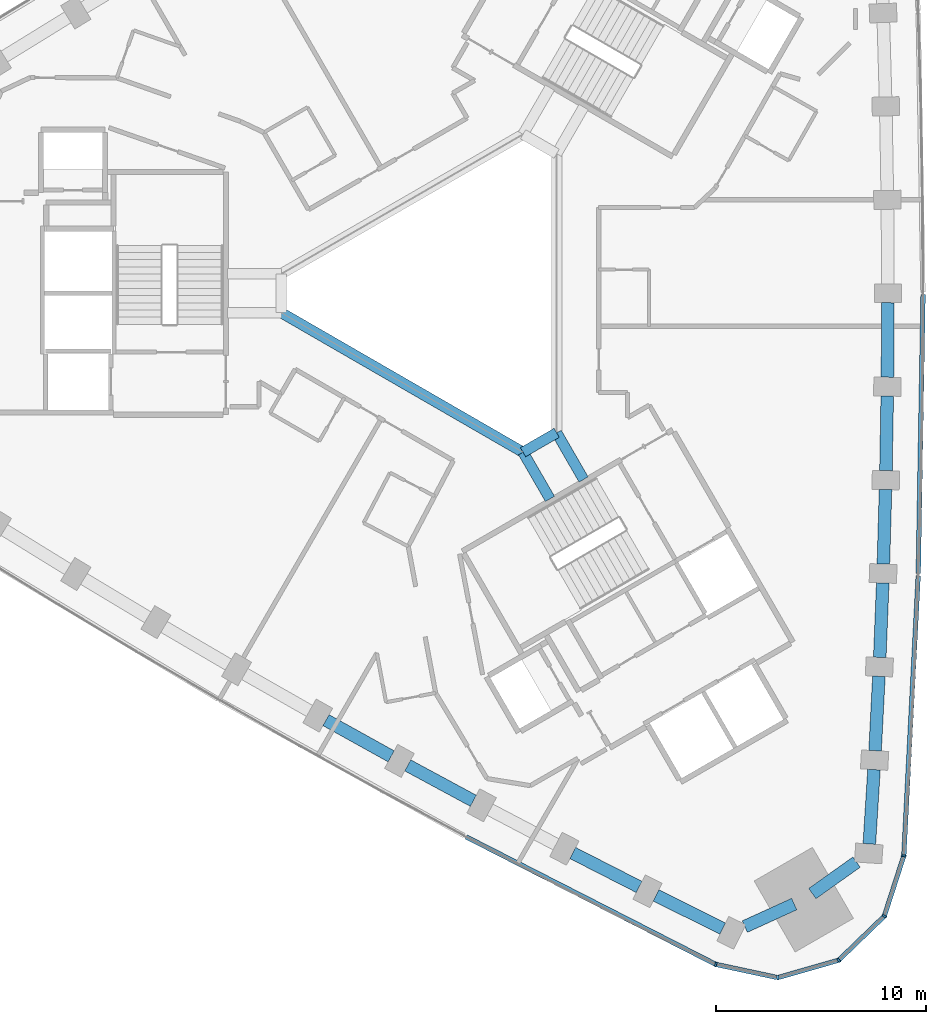
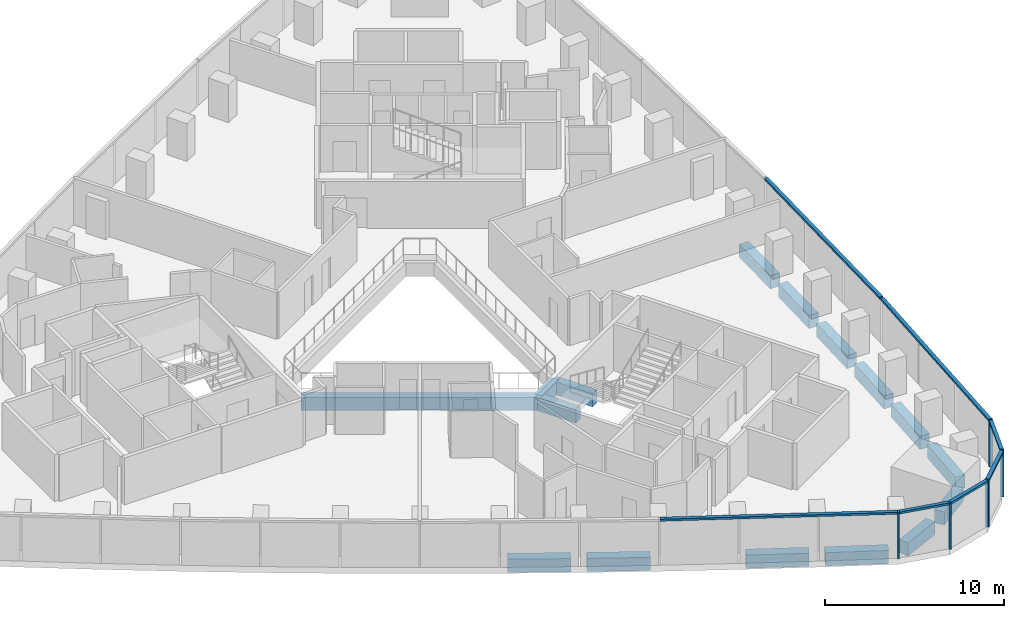
# One storey, part 3 of 12: 16 beams, 12 members, 2 elements without a shape of their own.
"""IFC4 building model written with IfcOpenShell, lengths in metres."""

from ifc_helpers import new_model, si_unit, direction, frame, origin, origin_2d, place, context, subcontext, project, spatial, rectangle, extrude, material, material_profile, profile_set, type_object, element, aggregate, save


model = new_model("IFC4")

# Units and contexts
model_context = context("Model", 3, precision=1e-05, world=origin(), true_north=direction((0.0, 1.0)))
body_context = subcontext(model_context, "Body", "Model", "MODEL_VIEW")
ifc_project = project(units=[si_unit("LENGTHUNIT", "METRE"), si_unit("AREAUNIT", "SQUARE_METRE"), si_unit("VOLUMEUNIT", "CUBIC_METRE"), si_unit("PLANEANGLEUNIT", "RADIAN"), si_unit("MASSUNIT", "GRAM", prefix="KILO")], contexts=[model_context])

# Site, building, storey
site_placement = place(None, origin())
site = spatial("IfcSite", under=ifc_project, at=site_placement, CompositionType="ELEMENT")
building_placement = place(site_placement, origin())
building = spatial("IfcBuilding", under=site, at=building_placement, Name="Tamra Quay Hotel Tower", CompositionType="ELEMENT")
storey_placement = place(building_placement, frame((0.0, 0.0, 115.39990234375)))
storey = spatial("IfcBuildingStorey", under=building, at=storey_placement, Name="L28", CompositionType="ELEMENT", Elevation=115.39990234375)

# Beams
ifc_material_1 = material(Name="Concrete M60", Category="concrete")
ifc_material_profile_1 = material_profile(ifc_material_1, rectangle(XDim=0.5, YDim=0.89990234375, at=origin_2d()), Name="ATRIUM EDGE BEAM RC 500x900")
ifc_profile_set_1 = profile_set([ifc_material_profile_1], Name="Concrete M60")
beam_type_1 = type_object("IfcBeamType", Name="ATRIUM EDGE BEAM RC 500x900", PredefinedType="BEAM", material=ifc_profile_set_1)
beam_1_placement = place(storey_placement, frame((4.89990234375, -6.639404296875, -0.875), z_axis=(-0.865989712182, -0.500061814573, 0.0), x_axis=(0.500061814573, -0.865989712182, 0.0)))
element("IfcBeam", 1, at=beam_1_placement, inside=storey, type_object=beam_type_1, Name="BM-AB1-L28", PredefinedType="BEAM", context=body_context, shape_type="SweptSolid", body=[
    extrude(rectangle(XDim=0.5, YDim=0.89990234375, at=origin_2d()), origin(), (0.0, 0.0, 1.0), 1.847412109375),
])
beam_2_placement = place(storey_placement, frame((3.300048828125, -7.563232421875, -0.875), z_axis=(-0.866029440693, 0.499993007805, 0.0), x_axis=(-0.499993007805, -0.866029440693, 0.0)))
element("IfcBeam", 2, at=beam_2_placement, inside=storey, type_object=beam_type_1, Name="BM-AB2-L28", PredefinedType="BEAM", context=body_context, shape_type="SweptSolid", body=[
    extrude(rectangle(XDim=0.5, YDim=0.89990234375, at=origin_2d()), origin(), (0.0, 0.0, 1.0), 13.279052734375),
])
ifc_material_profile_2 = material_profile(ifc_material_1, rectangle(XDim=0.5, YDim=0.89990234375, at=origin_2d()), Name="ATRIUM TIE BEAM RC 500x900")
ifc_profile_set_2 = profile_set([ifc_material_profile_2], Name="Concrete M60")
beam_type_2 = type_object("IfcBeamType", Name="ATRIUM TIE BEAM RC 500x900", PredefinedType="BEAM", material=ifc_profile_set_2)
for number, where, z_axis, x_axis, name in (
    (3, (4.89990234375, -6.639404296875, -0.875), (0.50003311468, -0.866006284171, 0.0), (0.866006284171, 0.50003311468, 0.0), "BM-TIE-1-L28"),
    (4, (3.300048828125, -7.563232421875, -0.875), (0.499961652204, -0.866047542763, 0.0), (0.866047542763, 0.499961652204, 0.0), "BM-TIE-2-L28"),
):
    element("IfcBeam", number, at=place(storey_placement, frame(where, z_axis=z_axis, x_axis=x_axis)), inside=storey, type_object=beam_type_2, Name=name, PredefinedType="BEAM", context=body_context, shape_type="SweptSolid", body=[
        extrude(rectangle(XDim=0.5, YDim=0.89990234375, at=origin_2d()), origin(), (0.0, 0.0, 1.0), 2.562255859375),
    ])

# Curtain wall, member
ifc_material_2 = material(Name="Aluminium 6063 anodised dark grey", Category="aluminium")
curtain_wall_type_1 = type_object("IfcCurtainWallType", Name="CW1 CURTAIN WALL", PredefinedType="NOTDEFINED", material=ifc_material_2)
curtain_wall_1_placement = place(storey_placement, origin())
curtain_wall_1 = element("IfcCurtainWall", 5, at=curtain_wall_1_placement, inside=storey, type_object=curtain_wall_type_1, Name="CW1 east face L28", PredefinedType="NOTDEFINED")
ifc_material_profile_3 = material_profile(ifc_material_2, rectangle(XDim=0.219970703125, YDim=0.10009765625, at=origin_2d()), Name="MULLION 100X220")
ifc_profile_set_3 = profile_set([ifc_material_profile_3], Name="Aluminium 6063 anodised dark grey")
member_type_1 = type_object("IfcMemberType", Name="MULLION CW1 Z2", PredefinedType="MULLION", material=ifc_profile_set_3)
member_1_placement = place(storey_placement, frame((21.41650390625, -26.762451171875, 0.0), z_axis=(0.0, 0.0, 1.0), x_axis=(0.982419074219, -0.18668894614, 0.0)))
member_1 = element("IfcMember", 6, at=member_1_placement, type_object=member_type_1, Name="CW1 mullion L28.E.1", PredefinedType="MULLION", context=body_context, shape_type="SweptSolid", body=[
    extrude(rectangle(XDim=0.219970703125, YDim=0.10009765625, at=origin_2d()), origin(), (0.0, 0.0, 1.0), 3.2001953125),
])

# Curtain wall, members
curtain_wall_type_2 = type_object("IfcCurtainWallType", Name="CW3 CURTAIN WALL", PredefinedType="NOTDEFINED", material=ifc_material_2)
curtain_wall_2_placement = place(storey_placement, origin())
curtain_wall_2 = element("IfcCurtainWall", 7, at=curtain_wall_2_placement, inside=storey, type_object=curtain_wall_type_2, Name="CW3 south-west face L28", PredefinedType="NOTDEFINED")
ifc_material_profile_4 = material_profile(ifc_material_2, rectangle(XDim=0.219970703125, YDim=0.10009765625, at=origin_2d()), Name="MULLION 100X220")
ifc_profile_set_4 = profile_set([ifc_material_profile_4], Name="Aluminium 6063 anodised dark grey")
member_type_2 = type_object("IfcMemberType", Name="MULLION CW3 Z2", PredefinedType="MULLION", material=ifc_profile_set_4)
member_2_placement = place(storey_placement, frame((12.46875, -31.928466796875, 0.0), z_axis=(0.0, 0.0, 1.0), x_axis=(-0.329532167147, -0.944144348506, 0.0)))
member_2 = element("IfcMember", 8, at=member_2_placement, type_object=member_type_2, Name="CW3 mullion L28.SW.13", PredefinedType="MULLION", context=body_context, shape_type="SweptSolid", body=[
    extrude(rectangle(XDim=0.219970703125, YDim=0.10009765625, at=origin_2d()), origin(), (0.0, 0.0, 1.0), 3.2001953125),
])
member_3_placement = place(storey_placement, frame((15.418701171875, -32.559326171875, 0.0), z_axis=(0.0, 0.0, 1.0), x_axis=(0.03404070031, -0.999420447421, 0.0)))
member_3 = element("IfcMember", 9, at=member_3_placement, type_object=member_type_2, Name="CW3 mullion L28.SW.14", PredefinedType="MULLION", context=body_context, shape_type="SweptSolid", body=[
    extrude(rectangle(XDim=0.219970703125, YDim=0.10009765625, at=origin_2d()), origin(), (0.0, 0.0, 1.0), 3.2001953125),
])
member_4_placement = place(storey_placement, frame((18.31884765625, -31.729248046875, 0.0), z_axis=(0.0, 0.0, 1.0), x_axis=(0.5, -0.866025403784, 0.0)))
member_4 = element("IfcMember", 10, at=member_4_placement, type_object=member_type_2, Name="CW3 mullion L28.SW.15", PredefinedType="MULLION", context=body_context, shape_type="SweptSolid", body=[
    extrude(rectangle(XDim=0.219970703125, YDim=0.10009765625, at=origin_2d()), origin(), (0.0, 0.0, 1.0), 3.2001953125),
])
member_5_placement = place(storey_placement, frame((20.488037109375, -29.6328125, 0.0), z_axis=(0.0, 0.0, 1.0), x_axis=(0.848503146373, -0.529190334941, 0.0)))
member_5 = element("IfcMember", 11, at=member_5_placement, type_object=member_type_2, Name="CW3 mullion L28.SW.16", PredefinedType="MULLION", context=body_context, shape_type="SweptSolid", body=[
    extrude(rectangle(XDim=0.219970703125, YDim=0.10009765625, at=origin_2d()), origin(), (0.0, 0.0, 1.0), 3.2001953125),
])

# Beams
ifc_material_profile_5 = material_profile(ifc_material_1, rectangle(XDim=0.60009765625, YDim=0.89990234375, at=origin_2d()), Name="SPANDREL BEAM RC 600x900")
ifc_profile_set_5 = profile_set([ifc_material_profile_5], Name="Concrete M60")
beam_type_3 = type_object("IfcBeamType", Name="SPANDREL BEAM RC 600x900", PredefinedType="SPANDREL", material=ifc_profile_set_5)
beam_3_placement = place(storey_placement, frame((19.7744140625, -26.199462890625, -0.875), z_axis=(0.062669833409, 0.99803431403, 0.0), x_axis=(-0.99803431403, 0.062669833409, 0.0)))
element("IfcBeam", 12, at=beam_3_placement, inside=storey, type_object=beam_type_3, Name="BM-SP2-000-L28", PredefinedType="SPANDREL", context=body_context, shape_type="SweptSolid", body=[
    extrude(rectangle(XDim=0.60009765625, YDim=0.89990234375, at=origin_2d()), origin(), (0.0, 0.0, 1.0), 3.545166015625),
])
beam_4_placement = place(storey_placement, frame((20.048095703125, -21.7626953125, -0.875), z_axis=(0.051311627905, 0.998682690769, 0.0), x_axis=(-0.998682690769, 0.051311627905, 0.0)))
element("IfcBeam", 13, at=beam_4_placement, inside=storey, type_object=beam_type_3, Name="BM-SP2-001-L28", PredefinedType="SPANDREL", context=body_context, shape_type="SweptSolid", body=[
    extrude(rectangle(XDim=0.60009765625, YDim=0.89990234375, at=origin_2d()), origin(), (0.0, 0.0, 1.0), 3.544677734375),
])
for number, where, z_axis, x_axis, name in (
    (14, (20.27099609375, -17.323486328125, -0.875), (0.039946034354, 0.999201838639, 0.0), (-0.999201838639, 0.039946034354, 0.0), "BM-SP2-002-L28"),
    (15, (20.443359375, -12.882080078125, -0.875), (0.02858140136, 0.999591468299, 0.0), (-0.999591468299, 0.02858140136, 0.0), "BM-SP2-003-L28"),
):
    element("IfcBeam", number, at=place(storey_placement, frame(where, z_axis=z_axis, x_axis=x_axis)), inside=storey, type_object=beam_type_3, Name=name, PredefinedType="SPANDREL", context=body_context, shape_type="SweptSolid", body=[
        extrude(rectangle(XDim=0.60009765625, YDim=0.89990234375, at=origin_2d()), origin(), (0.0, 0.0, 1.0), 3.544921875),
    ])
beam_5_placement = place(storey_placement, frame((20.565185546875, -8.43896484375, -0.875), z_axis=(0.017149781635, 0.99985293168, 0.0), x_axis=(-0.99985293168, 0.017149781635, 0.0)))
element("IfcBeam", 16, at=beam_5_placement, inside=storey, type_object=beam_type_3, Name="BM-SP2-004-L28", PredefinedType="SPANDREL", context=body_context, shape_type="SweptSolid", body=[
    extrude(rectangle(XDim=0.60009765625, YDim=0.89990234375, at=origin_2d()), origin(), (0.0, 0.0, 1.0), 3.544677734375),
])
for number, where, z_axis, x_axis, name in (
    (17, (20.63623046875, -3.994873046875, -0.875), (0.005716160055, 0.999983662624, 0.0), (-0.999983662624, 0.005716160055, 0.0), "BM-SP2-005-L28"),
    (18, (-6.073974609375, -20.309814453125, -0.875), (0.874475461638, -0.48506975477, 0.0), (0.48506975477, 0.874475461638, 0.0), "BM-SP2-035-L28"),
    (19, (-2.184814453125, -22.46142578125, -0.875), (0.879950887438, -0.475064664753, 0.0), (0.475064664753, 0.879950887438, 0.0), "BM-SP2-036-L28"),
    (20, (5.666259765625, -26.630859375, -0.875), (0.890551251107, -0.45488291807, 0.0), (0.45488291807, 0.890551251107, 0.0), "BM-SP2-038-L28"),
):
    element("IfcBeam", number, at=place(storey_placement, frame(where, z_axis=z_axis, x_axis=x_axis)), inside=storey, type_object=beam_type_3, Name=name, PredefinedType="SPANDREL", context=body_context, shape_type="SweptSolid", body=[
        extrude(rectangle(XDim=0.60009765625, YDim=0.89990234375, at=origin_2d()), origin(), (0.0, 0.0, 1.0), 3.544921875),
    ])
beam_6_placement = place(storey_placement, frame((9.626953125, -28.648193359375, -0.875), z_axis=(0.895622275285, -0.444815399928, 0.0), x_axis=(0.444815399928, 0.895622275285, 0.0)))
element("IfcBeam", 21, at=beam_6_placement, inside=storey, type_object=beam_type_3, Name="BM-SP2-039-L28", PredefinedType="SPANDREL", context=body_context, shape_type="SweptSolid", body=[
    extrude(rectangle(XDim=0.60009765625, YDim=0.89990234375, at=origin_2d()), origin(), (0.0, 0.0, 1.0), 3.545166015625),
])
for number, where, z_axis, x_axis, name in (
    (22, (13.8505859375, -30.130615234375, -0.875), (0.909819048293, 0.415005179923, 0.0), (-0.415005179923, 0.909819048293, 0.0), "BM-SP2-040-L28"),
    (23, (17.063720703125, -28.560546875, -0.875), (0.814339289036, 0.580389112865, 0.0), (-0.580389112865, 0.814339289036, 0.0), "BM-SP2-041-L28"),
):
    element("IfcBeam", number, at=place(storey_placement, frame(where, z_axis=z_axis, x_axis=x_axis)), inside=storey, type_object=beam_type_3, Name=name, PredefinedType="SPANDREL", context=body_context, shape_type="SweptSolid", body=[
        extrude(rectangle(XDim=0.60009765625, YDim=0.89990234375, at=origin_2d()), origin(), (0.0, 0.0, 1.0), 2.5849609375),
    ])

# Member
ifc_material_profile_6 = material_profile(ifc_material_2, rectangle(XDim=0.219970703125, YDim=0.139892578125, at=origin_2d()), Name="TRANSOM 220X140")
ifc_profile_set_6 = profile_set([ifc_material_profile_6], Name="Aluminium 6063 anodised dark grey")
member_type_3 = type_object("IfcMemberType", Name="TRANSOM CW1 Z2", PredefinedType="USERDEFINED", material=ifc_profile_set_6)
member_6_placement = place(storey_placement, frame((21.41943359375, -26.712646484375, 3.130126953125), z_axis=(0.051322797132, 0.998682116839, 0.0), x_axis=(-0.998682116839, 0.051322797132, 0.0)))
member_6 = element("IfcMember", 24, at=member_6_placement, type_object=member_type_3, Name="CW1 transom L28.E.1", ObjectType="TRANSOM", PredefinedType="USERDEFINED", context=body_context, shape_type="SweptSolid", body=[
    extrude(rectangle(XDim=0.219970703125, YDim=0.139892578125, at=origin_2d()), origin(), (0.0, 0.0, 1.0), 13.291015625),
])

member_7_placement = place(storey_placement, frame((22.10498046875, -13.33935546875, 3.130126953125), z_axis=(0.017137820377, 0.999853136772, 0.0), x_axis=(-0.999853136772, 0.017137820377, 0.0)))
member_7 = element("IfcMember", 25, at=member_7_placement, type_object=member_type_3, Name="CW1 transom L28.E.4", ObjectType="TRANSOM", PredefinedType="USERDEFINED", context=body_context, shape_type="SweptSolid", body=[
    extrude(rectangle(XDim=0.219970703125, YDim=0.139892578125, at=origin_2d()), origin(), (0.0, 0.0, 1.0), 13.291259765625),
])

aggregate(curtain_wall_1, [member_1, member_6, member_7])

ifc_material_profile_7 = material_profile(ifc_material_2, rectangle(XDim=0.219970703125, YDim=0.139892578125, at=origin_2d()), Name="TRANSOM 220X140")
ifc_profile_set_7 = profile_set([ifc_material_profile_7], Name="Aluminium 6063 anodised dark grey")
member_type_4 = type_object("IfcMemberType", Name="TRANSOM CW3 Z2", PredefinedType="USERDEFINED", material=ifc_profile_set_7)
member_8_placement = place(storey_placement, frame((0.588134765625, -25.860107421875, 3.130126953125), z_axis=(0.89053639512, -0.454912001344, 0.0), x_axis=(0.454912001344, 0.89053639512, 0.0)))
member_8 = element("IfcMember", 26, at=member_8_placement, type_object=member_type_4, Name="CW3 transom L28.SW.10", ObjectType="TRANSOM", PredefinedType="USERDEFINED", context=body_context, shape_type="SweptSolid", body=[
    extrude(rectangle(XDim=0.219970703125, YDim=0.139892578125, at=origin_2d()), origin(), (0.0, 0.0, 1.0), 13.290771484375),
])

member_9_placement = place(storey_placement, frame((12.517822265625, -31.93896484375, 3.130126953125), z_axis=(0.97787585355, -0.209186077557, 0.0), x_axis=(0.209186077557, 0.97787585355, 0.0)))
member_9 = element("IfcMember", 27, at=member_9_placement, type_object=member_type_4, Name="CW3 transom L28.SW.13", ObjectType="TRANSOM", PredefinedType="USERDEFINED", context=body_context, shape_type="SweptSolid", body=[
    extrude(rectangle(XDim=0.219970703125, YDim=0.139892578125, at=origin_2d()), origin(), (0.0, 0.0, 1.0), 2.91650390625),
])

member_10_placement = place(storey_placement, frame((15.466796875, -32.545654296875, 3.130126953125), z_axis=(0.961378509885, 0.275229650893, 0.0), x_axis=(-0.275229650893, 0.961378509885, 0.0)))
member_10 = element("IfcMember", 28, at=member_10_placement, type_object=member_type_4, Name="CW3 transom L28.SW.14", ObjectType="TRANSOM", PredefinedType="USERDEFINED", context=body_context, shape_type="SweptSolid", body=[
    extrude(rectangle(XDim=0.219970703125, YDim=0.139892578125, at=origin_2d()), origin(), (0.0, 0.0, 1.0), 2.91650390625),
])

member_11_placement = place(storey_placement, frame((18.354736328125, -31.6943359375, 3.130126953125), z_axis=(0.719058089649, 0.694949972092, 0.0), x_axis=(-0.694949972092, 0.719058089649, 0.0)))
member_11 = element("IfcMember", 29, at=member_11_placement, type_object=member_type_4, Name="CW3 transom L28.SW.15", ObjectType="TRANSOM", PredefinedType="USERDEFINED", context=body_context, shape_type="SweptSolid", body=[
    extrude(rectangle(XDim=0.219970703125, YDim=0.139892578125, at=origin_2d()), origin(), (0.0, 0.0, 1.0), 2.91650390625),
])

member_12_placement = place(storey_placement, frame((20.50341796875, -29.585205078125, 3.130126953125), z_axis=(0.307777941734, 0.95145821694, 0.0), x_axis=(-0.95145821694, 0.307777941734, 0.0)))
member_12 = element("IfcMember", 30, at=member_12_placement, type_object=member_type_4, Name="CW3 transom L28.SW.16", ObjectType="TRANSOM", PredefinedType="USERDEFINED", context=body_context, shape_type="SweptSolid", body=[
    extrude(rectangle(XDim=0.219970703125, YDim=0.139892578125, at=origin_2d()), origin(), (0.0, 0.0, 1.0), 2.916748046875),
])

aggregate(curtain_wall_2, [member_8, member_2, member_9, member_3, member_10, member_4, member_11, member_5, member_12])

save(model, "model.ifc")
